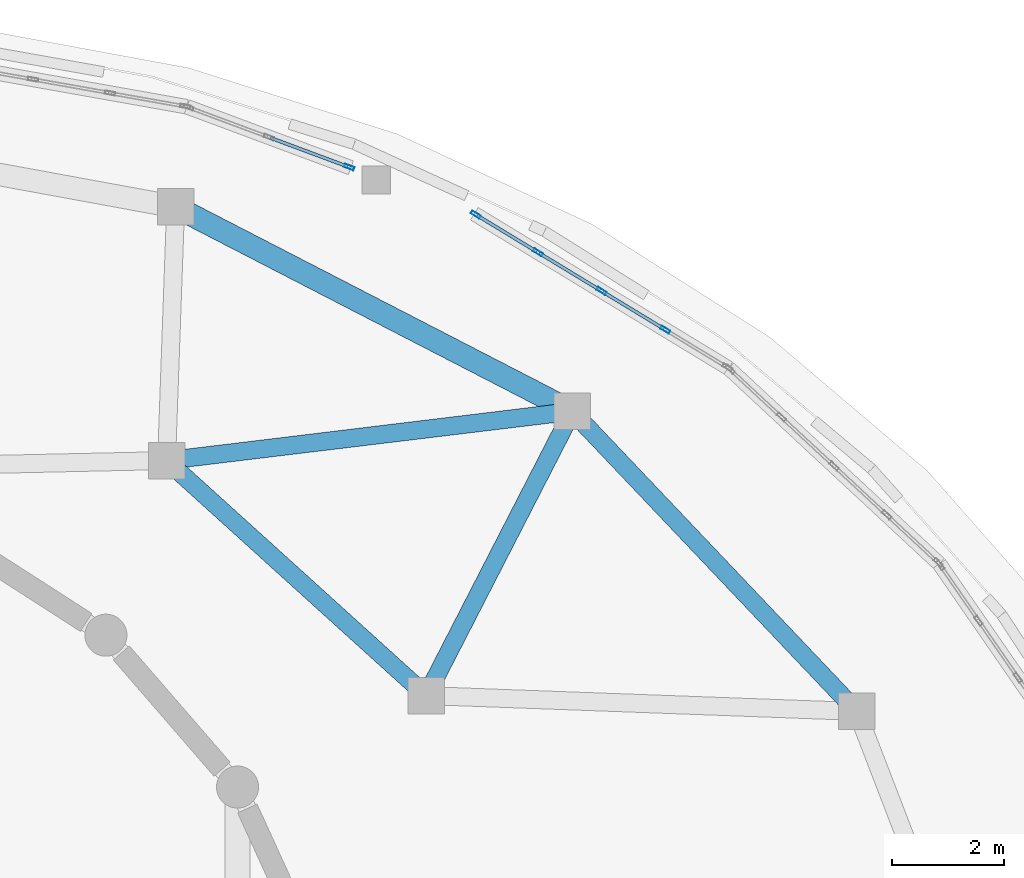
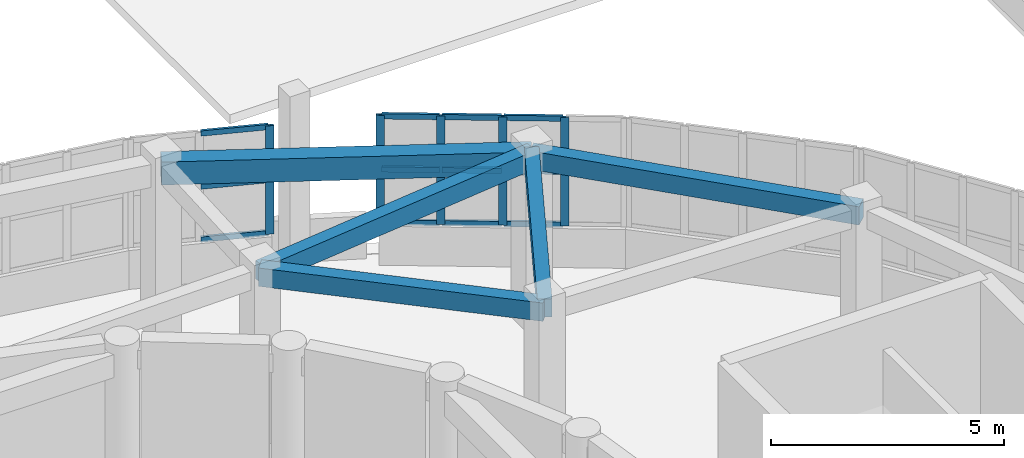
# One storey, part 61 of 105: 17 members, 5 beams, 2 elements without a shape of their own.
"""IFC4 building model written with IfcOpenShell, lengths in metres."""

import ifcopenshell
import ifcopenshell.guid

model = None  # the IFC model being written
_history = None  # IfcOwnerHistory: only IFC2X3 demands one
_inside = {}  # id of a spatial element -> (the spatial element, [elements in it])
_under = {}  # id of a project, library or spatial element -> (it, [spatial elements below it])
_declared = {}  # id of a project -> (the project, [libraries it declares])
_typed = {}  # id of a type object -> (the type object, [elements of that type])
_made_of = {}  # id of a material, layer set ... -> (it, [elements and type objects made of it])


def new_model(schema):
    """Start an empty IFC model of exactly this schema.

    Asked for "IFC4X3", IfcOpenShell would pick the latest addendum, in which some entities
    have other attributes; the version numbers below select the first issue.
    IFC2X3 requires an IfcOwnerHistory on every rooted entity: one is made here for all.
    """
    global model, _history
    if schema == "IFC4X3":
        model = ifcopenshell.file(schema_version=(4, 3, 0, 0))
    else:
        model = ifcopenshell.file(schema=schema)
    _inside.clear()
    _under.clear()
    _declared.clear()
    _typed.clear()
    _made_of.clear()
    _history = None
    if model.schema == "IFC2X3":
        org = make("IfcOrganization", Name="unknown")
        user = make(
            "IfcPersonAndOrganization",
            ThePerson=make("IfcPerson", FamilyName="unknown"),
            TheOrganization=org,
        )
        app = make(
            "IfcApplication",
            ApplicationDeveloper=org,
            Version="unknown",
            ApplicationFullName="unknown",
            ApplicationIdentifier="unknown",
        )
        _history = make(
            "IfcOwnerHistory",
            OwningUser=user,
            OwningApplication=app,
            ChangeAction="ADDED",
            CreationDate=0,
        )
    return model


def make(cls, **values):
    """One entity of the class cls with the attributes given. An attribute that is None is left unset."""
    return model.create_entity(
        cls, **{name: value for name, value in values.items() if value is not None}
    )


def rooted(cls, **values):
    """An entity with a GlobalId (a new one), such as an element, a storey or a relation."""
    return make(cls, GlobalId=ifcopenshell.guid.new(), OwnerHistory=_history, **values)


def si_unit(unit_type, name, prefix=None):
    """IfcSIUnit, for example si_unit("LENGTHUNIT", "METRE", prefix="MILLI")."""
    return make("IfcSIUnit", UnitType=unit_type, Prefix=prefix, Name=name)


def assignment(units):
    """IfcUnitAssignment: the units of a project."""
    return None if units is None else make("IfcUnitAssignment", Units=units)


def point(xyz):
    """IfcCartesianPoint."""
    return None if xyz is None else make("IfcCartesianPoint", Coordinates=xyz)


def direction(xyz):
    """IfcDirection."""
    return None if xyz is None else make("IfcDirection", DirectionRatios=xyz)


def frame(location, z_axis=None, x_axis=None):
    """IfcAxis2Placement3D, a coordinate frame: its origin and axes. An axis left out is left unset."""
    return make(
        "IfcAxis2Placement3D",
        Location=point(location),
        Axis=direction(z_axis),
        RefDirection=direction(x_axis),
    )


def frame_2d(location, x_axis=None):
    """IfcAxis2Placement2D, a coordinate frame in the plane: its origin and x axis."""
    return make(
        "IfcAxis2Placement2D", Location=point(location), RefDirection=direction(x_axis)
    )


def origin():
    """The frame at (0, 0, 0) with its axes left unset."""
    return frame((0.0, 0.0, 0.0))


def origin_2d():
    """The frame at (0, 0) in the plane with its x axis left unset."""
    return frame_2d((0.0, 0.0))


def place(relative_to, where):
    """IfcLocalPlacement: puts the frame where relative to a parent placement (None: the world)."""
    return make(
        "IfcLocalPlacement", PlacementRelTo=relative_to, RelativePlacement=where
    )


def context(
    kind, dimensions, precision=None, world=None, true_north=None, identifier=None
):
    """IfcGeometricRepresentationContext, for example the 3D "Model" context."""
    return make(
        "IfcGeometricRepresentationContext",
        ContextIdentifier=identifier,
        ContextType=kind,
        CoordinateSpaceDimension=dimensions,
        Precision=precision,
        WorldCoordinateSystem=world,
        TrueNorth=true_north,
    )


def subcontext(parent, identifier, kind, view, scale=None):
    """IfcGeometricRepresentationSubContext, for example "Body" below "Model"."""
    return make(
        "IfcGeometricRepresentationSubContext",
        ContextIdentifier=identifier,
        ContextType=kind,
        ParentContext=parent,
        TargetScale=scale,
        TargetView=view,
    )


def project(units=None, contexts=None):
    """IfcProject with its units and contexts."""
    return rooted(
        "IfcProject",
        Name="project",
        RepresentationContexts=contexts,
        UnitsInContext=assignment(units),
    )


def spatial(cls, under=None, at=None, **own):
    """A site, building, storey or space (cls), placed at a placement, below another one or the project."""
    s = rooted(cls, ObjectPlacement=at, **own)
    if under is not None:
        _under.setdefault(under.id(), (under, []))[1].append(s)
    return s


def profile(cls, at=None, kind="AREA", **sizes):
    """A parametric profile (cls). Its sizes go by their IFC names, for example OverallWidth=200.0."""
    return make(cls, ProfileType=kind, Position=at, **sizes)


def rectangle(**sizes):
    """IfcRectangleProfileDef."""
    return profile("IfcRectangleProfileDef", **sizes)


def hollow_rectangle(**sizes):
    """IfcRectangleHollowProfileDef."""
    return profile("IfcRectangleHollowProfileDef", **sizes)


def extrude(swept, where, along, depth):
    """IfcExtrudedAreaSolid: the profile swept, set in the frame where, extruded along a direction by depth."""
    return make(
        "IfcExtrudedAreaSolid",
        SweptArea=swept,
        Position=where,
        ExtrudedDirection=direction(along),
        Depth=depth,
    )


def shape(context_of_items, identifier, shape_type, items):
    """IfcShapeRepresentation: the items that make up one representation, for example the "Body"."""
    return make(
        "IfcShapeRepresentation",
        ContextOfItems=context_of_items,
        RepresentationIdentifier=identifier,
        RepresentationType=shape_type,
        Items=items,
    )


def material(Name=None, Category=None):
    """IfcMaterial."""
    return make("IfcMaterial", Name=Name, Category=Category)


def layer(
    of_material, thickness, ventilated=None, Name=None, Category=None, Priority=None
):
    """IfcMaterialLayer: one layer of a wall or slab, of a material (None: an air gap)."""
    return make(
        "IfcMaterialLayer",
        Material=of_material,
        LayerThickness=thickness,
        IsVentilated=ventilated,
        Name=Name,
        Category=Category,
        Priority=Priority,
    )


def layer_set(layers, Name=None):
    """IfcMaterialLayerSet."""
    return make("IfcMaterialLayerSet", MaterialLayers=layers, LayerSetName=Name)


def material_profile(
    of_material, cross_section, Name=None, Category=None, Priority=None
):
    """IfcMaterialProfile: a cross section and its material."""
    return make(
        "IfcMaterialProfile",
        Name=Name,
        Material=of_material,
        Profile=cross_section,
        Priority=Priority,
        Category=Category,
    )


def profile_set(profiles, Name=None, composite=None):
    """IfcMaterialProfileSet."""
    return make(
        "IfcMaterialProfileSet",
        Name=Name,
        MaterialProfiles=profiles,
        CompositeProfile=composite,
    )


def made_of(thing, what):
    """Note that an element or type object is made of a material, layer set ...; save() writes the relation."""
    if what is not None:
        _made_of.setdefault(what.id(), (what, []))[1].append(thing)
    return thing


def type_object(cls, material=None, **own):
    """A type object (cls), such as IfcWallType, which elements share."""
    return made_of(rooted(cls, **own), material)


def element(
    cls,
    number,
    at=None,
    inside=None,
    cuts=None,
    type_object=None,
    material=None,
    context=None,
    identifier="Body",
    shape_type=None,
    held_by="IfcProductDefinitionShape",
    body=None,
    shapes=None,
    **own,
):
    """One element of the class cls, such as IfcWall. Its Tag is "e" and its number.

    at: its placement. inside: the storey or other place that contains it. cuts: it is an
    opening in that element (IfcRelVoidsElement). A single representation is given by context,
    identifier, shape_type and body (its items); several are given by shapes. held_by: the class
    of the entity that holds the representations. save() writes the other relations.
    """
    e = rooted(cls, Tag="e%d" % number, ObjectPlacement=at, **own)
    if body is not None:
        shapes = [shape(context, identifier, shape_type, body)]
    if shapes is not None:
        e.Representation = make(held_by, Representations=shapes)
    if inside is not None:
        _inside.setdefault(inside.id(), (inside, []))[1].append(e)
    if cuts is not None:
        rooted(
            "IfcRelVoidsElement", RelatingBuildingElement=cuts, RelatedOpeningElement=e
        )
    if type_object is not None:
        _typed.setdefault(type_object.id(), (type_object, []))[1].append(e)
    return made_of(e, material)


def aggregate(whole, parts):
    """IfcRelAggregates: a whole, such as a stair, and the parts it consists of."""
    return rooted("IfcRelAggregates", RelatingObject=whole, RelatedObjects=parts)


def save(model, path):
    """Write the relations noted so far, then the file.

    IfcRelAggregates (storeys below a building ...), IfcRelContainedInSpatialStructure (elements
    in a storey), IfcRelDefinesByType, IfcRelAssociatesMaterial and IfcRelDeclares: one each for
    every whole, place, type object, material and project.
    """
    for whole, parts in _under.values():
        aggregate(whole, parts)
    for where, things in _inside.values():
        rooted(
            "IfcRelContainedInSpatialStructure",
            RelatedElements=things,
            RelatingStructure=where,
        )
    for kind, things in _typed.values():
        rooted("IfcRelDefinesByType", RelatedObjects=things, RelatingType=kind)
    for what, things in _made_of.values():
        rooted("IfcRelAssociatesMaterial", RelatedObjects=things, RelatingMaterial=what)
    for by, libraries in _declared.values():
        rooted("IfcRelDeclares", RelatingContext=by, RelatedDefinitions=libraries)
    model.write(path)


model = new_model("IFC4")

# Units and contexts
model_context = context("Model", 3, precision=1e-05, world=origin(), true_north=direction((0.0, 1.0)))
body_context = subcontext(model_context, "Body", "Model", "MODEL_VIEW")
ifc_project = project(units=[si_unit("LENGTHUNIT", "METRE"), si_unit("AREAUNIT", "SQUARE_METRE"), si_unit("VOLUMEUNIT", "CUBIC_METRE"), si_unit("PLANEANGLEUNIT", "RADIAN"), si_unit("MASSUNIT", "GRAM", prefix="KILO")], contexts=[model_context])

# Site, building, storey
site_placement = place(None, origin())
site = spatial("IfcSite", under=ifc_project, at=site_placement, CompositionType="ELEMENT")
building_placement = place(site_placement, origin())
building = spatial("IfcBuilding", under=site, at=building_placement, Name="Pelvatis Terrace Science Centre", CompositionType="ELEMENT")
storey_placement = place(building_placement, frame((0.0, 0.0, 10.199951171875)))
storey = spatial("IfcBuildingStorey", under=building, at=storey_placement, Name="L02", CompositionType="ELEMENT", Elevation=10.199951171875)

# Beams
ifc_material_1 = material(Name="Concrete C35/45", Category="concrete")
ifc_material_profile_1 = material_profile(ifc_material_1, rectangle(XDim=0.320068359375, YDim=0.47998046875, at=origin_2d()), Name="RC-BM 320x480")
ifc_profile_set_1 = profile_set([ifc_material_profile_1], Name="Concrete C35/45")
beam_type_1 = type_object("IfcBeamType", Name="BM-RC-320x480", PredefinedType="BEAM", material=ifc_profile_set_1)
beam_1_placement = place(storey_placement, frame((130.8515625, 93.9619140625, 4.300048828125), z_axis=(-0.688268468455, 0.725456074019, 0.0), x_axis=(-0.725456074019, -0.688268468455, 0.0)))
element("IfcBeam", 1, at=beam_1_placement, inside=storey, type_object=beam_type_1, Name="Beam BM-L02-2895", PredefinedType="BEAM", context=body_context, shape_type="SweptSolid", body=[
    extrude(rectangle(XDim=0.320068359375, YDim=0.47998046875, at=origin_2d()), origin(), (0.0, 0.0, 1.0), 7.379150390625),
])
beam_2_placement = place(storey_placement, frame((125.772705078125, 99.315185546875, 4.300048828125), z_axis=(-0.456833081813, -0.88955243542, 0.0), x_axis=(0.88955243542, -0.456833081813, 0.0)))
element("IfcBeam", 2, at=beam_2_placement, inside=storey, type_object=beam_type_1, Name="Beam BM-L02-2898", PredefinedType="BEAM", context=body_context, shape_type="SweptSolid", body=[
    extrude(rectangle(XDim=0.320068359375, YDim=0.47998046875, at=origin_2d()), origin(), (0.0, 0.0, 1.0), 5.7001953125),
])
beam_3_placement = place(storey_placement, frame((125.772705078125, 99.315185546875, 4.300048828125), z_axis=(-0.992742021156, -0.120263375265, 0.0), x_axis=(0.120263375265, -0.992742021156, 0.0)))
element("IfcBeam", 3, at=beam_3_placement, inside=storey, type_object=beam_type_1, Name="Beam BM-L02-2899", PredefinedType="BEAM", context=body_context, shape_type="SweptSolid", body=[
    extrude(rectangle(XDim=0.320068359375, YDim=0.47998046875, at=origin_2d()), origin(), (0.0, 0.0, 1.0), 7.2919921875),
])
beam_4_placement = place(storey_placement, frame((123.168701171875, 94.24462890625, 4.300048828125), z_axis=(-0.741533928448, 0.670915369447, 0.0), x_axis=(-0.670915369447, -0.741533928448, 0.0)))
element("IfcBeam", 4, at=beam_4_placement, inside=storey, type_object=beam_type_1, Name="Beam BM-L02-2923", PredefinedType="BEAM", context=body_context, shape_type="SweptSolid", body=[
    extrude(rectangle(XDim=0.320068359375, YDim=0.47998046875, at=origin_2d()), origin(), (0.0, 0.0, 1.0), 6.25048828125),
])
ifc_material_2 = material(Name="Concrete C35/45", Category="concrete")
ifc_material_profile_2 = material_profile(ifc_material_2, rectangle(XDim=0.39990234375, YDim=0.60009765625, at=origin_2d()), Name="RC-BM 400x600")
ifc_profile_set_2 = profile_set([ifc_material_profile_2], Name="Concrete C35/45")
beam_type_2 = type_object("IfcBeamType", Name="BM-RC-400x600", PredefinedType="BEAM", material=ifc_profile_set_2)
beam_5_placement = place(storey_placement, frame((125.772705078125, 99.315185546875, 4.239990234375), z_axis=(-0.888746773827, 0.458398486049, 0.0), x_axis=(-0.458398486049, -0.888746773827, 0.0)))
element("IfcBeam", 5, at=beam_5_placement, inside=storey, type_object=beam_type_2, Name="Beam BM-L02-2897", PredefinedType="BEAM", context=body_context, shape_type="SweptSolid", body=[
    extrude(rectangle(XDim=0.39990234375, YDim=0.60009765625, at=origin_2d()), origin(), (0.0, 0.0, 1.0), 7.9638671875),
])

# Curtain wall, members
ifc_material_3 = material(Name="Bronze-anodised aluminium and laminated glass", Category="aluminium")
ifc_layer = layer(ifc_material_3, 0.179931640625)
ifc_layer_set = layer_set([ifc_layer], Name="Bronze-anodised aluminium and laminated glass")
curtain_wall_type = type_object("IfcCurtainWallType", Name="CW-RIBBON-A", PredefinedType="NOTDEFINED", material=ifc_layer_set)
curtain_wall_1_placement = place(storey_placement, origin())
curtain_wall_1 = element("IfcCurtainWall", 6, at=curtain_wall_1_placement, inside=storey, type_object=curtain_wall_type, Name="Ribbon curtain wall CW-158 (L02)", PredefinedType="NOTDEFINED")
ifc_material_4 = material(Name="Bronze-anodised aluminium 6063-T6", Category="aluminium")
ifc_material_profile_3 = material_profile(ifc_material_4, hollow_rectangle(XDim=0.06005859375, YDim=0.179931640625, WallThickness=0.00390625, at=origin_2d()), Name="ALU-MUL 60x180")
ifc_profile_set_3 = profile_set([ifc_material_profile_3], Name="Bronze-anodised aluminium 6063-T6")
member_type_1 = type_object("IfcMemberType", Name="CWM-60x180", PredefinedType="MULLION", material=ifc_profile_set_3)
member_1_placement = place(storey_placement, frame((127.430908203125, 100.773193359375, 1.02001953125), z_axis=(0.0, 0.0, 1.0), x_axis=(-0.519190278561, -0.854658677279, 0.0)))
member_1 = element("IfcMember", 7, at=member_1_placement, type_object=member_type_1, Name="CW-158 mullion 2", PredefinedType="MULLION", context=body_context, shape_type="SweptSolid", body=[
    extrude(hollow_rectangle(XDim=0.06005859375, YDim=0.179931640625, WallThickness=0.00390625, at=origin_2d()), origin(), (0.0, 0.0, 1.0), 2.840087890625),
])
member_2_placement = place(storey_placement, frame((126.295654296875, 101.462890625, 1.02001953125), z_axis=(0.0, 0.0, 1.0), x_axis=(-0.519190278561, -0.854658677279, 0.0)))
member_2 = element("IfcMember", 8, at=member_2_placement, type_object=member_type_1, Name="CW-158 mullion 3", PredefinedType="MULLION", context=body_context, shape_type="SweptSolid", body=[
    extrude(hollow_rectangle(XDim=0.06005859375, YDim=0.179931640625, WallThickness=0.00390625, at=origin_2d()), origin(), (0.0, 0.0, 1.0), 2.840087890625),
])
member_3_placement = place(storey_placement, frame((125.160400390625, 102.152587890625, 1.02001953125), z_axis=(0.0, 0.0, 1.0), x_axis=(-0.519190278561, -0.854658677279, 0.0)))
member_3 = element("IfcMember", 9, at=member_3_placement, type_object=member_type_1, Name="CW-158 mullion 4", PredefinedType="MULLION", context=body_context, shape_type="SweptSolid", body=[
    extrude(hollow_rectangle(XDim=0.06005859375, YDim=0.179931640625, WallThickness=0.00390625, at=origin_2d()), origin(), (0.0, 0.0, 1.0), 2.840087890625),
])
member_4_placement = place(storey_placement, frame((124.050537109375, 102.82666015625, 1.02001953125), z_axis=(0.0, 0.0, 1.0), x_axis=(-0.519190278561, -0.854658677279, 0.0)))
member_4 = element("IfcMember", 10, at=member_4_placement, type_object=member_type_1, Name="CW-158 mullion 5", PredefinedType="MULLION", context=body_context, shape_type="SweptSolid", body=[
    extrude(hollow_rectangle(XDim=0.06005859375, YDim=0.179931640625, WallThickness=0.00390625, at=origin_2d()), origin(), (0.0, 0.0, 1.0), 2.840087890625),
])

# Curtain wall, member
curtain_wall_2_placement = place(storey_placement, origin())
curtain_wall_2 = element("IfcCurtainWall", 11, at=curtain_wall_2_placement, inside=storey, type_object=curtain_wall_type, Name="Ribbon curtain wall CW-159 (L02)", PredefinedType="NOTDEFINED")
member_5_placement = place(storey_placement, frame((121.792724609375, 103.67333984375, 1.02001953125), z_axis=(0.0, 0.0, 1.0), x_axis=(-0.348867281349, -0.937172140006, 0.0)))
member_5 = element("IfcMember", 12, at=member_5_placement, type_object=member_type_1, Name="CW-159 mullion 1", PredefinedType="MULLION", context=body_context, shape_type="SweptSolid", body=[
    extrude(hollow_rectangle(XDim=0.06005859375, YDim=0.179931640625, WallThickness=0.00390625, at=origin_2d()), origin(), (0.0, 0.0, 1.0), 2.840087890625),
])

# Member
ifc_material_5 = material(Name="Bronze-anodised aluminium 6063-T6", Category="aluminium")
ifc_material_profile_4 = material_profile(ifc_material_5, hollow_rectangle(XDim=0.06005859375, YDim=0.139892578125, WallThickness=0.00390625, at=origin_2d()), Name="ALU-TRN 60x140")
ifc_profile_set_4 = profile_set([ifc_material_profile_4], Name="Bronze-anodised aluminium 6063-T6")
member_type_2 = type_object("IfcMemberType", Name="CWT-60x140", PredefinedType="USERDEFINED", material=ifc_profile_set_4)
member_6_placement = place(storey_placement, frame((127.4052734375, 100.788818359375, 1.050048828125), z_axis=(-0.85467770399, 0.519158956681, 0.0), x_axis=(-0.519158956681, -0.85467770399, 0.0)))
member_6 = element("IfcMember", 13, at=member_6_placement, type_object=member_type_2, Name="CW-158 transom 2.1", ObjectType="TRANSOM", PredefinedType="USERDEFINED", context=body_context, shape_type="SweptSolid", body=[
    extrude(hollow_rectangle(XDim=0.06005859375, YDim=0.139892578125, WallThickness=0.00390625, at=origin_2d()), origin(), (0.0, 0.0, 1.0), 1.268310546875),
])

member_7_placement = place(storey_placement, frame((127.4052734375, 100.788818359375, 2.43994140625), z_axis=(-0.85467770399, 0.519158956681, 0.0), x_axis=(-0.519158956681, -0.85467770399, 0.0)))
member_7 = element("IfcMember", 14, at=member_7_placement, type_object=member_type_2, Name="CW-158 transom 2.2", ObjectType="TRANSOM", PredefinedType="USERDEFINED", context=body_context, shape_type="SweptSolid", body=[
    extrude(hollow_rectangle(XDim=0.06005859375, YDim=0.139892578125, WallThickness=0.00390625, at=origin_2d()), origin(), (0.0, 0.0, 1.0), 1.268310546875),
])

member_8_placement = place(storey_placement, frame((127.4052734375, 100.788818359375, 3.830078125), z_axis=(-0.85467770399, 0.519158956681, 0.0), x_axis=(-0.519158956681, -0.85467770399, 0.0)))
member_8 = element("IfcMember", 15, at=member_8_placement, type_object=member_type_2, Name="CW-158 transom 2.3", ObjectType="TRANSOM", PredefinedType="USERDEFINED", context=body_context, shape_type="SweptSolid", body=[
    extrude(hollow_rectangle(XDim=0.06005859375, YDim=0.139892578125, WallThickness=0.00390625, at=origin_2d()), origin(), (0.0, 0.0, 1.0), 1.268310546875),
])

member_9_placement = place(storey_placement, frame((126.27001953125, 101.478515625, 1.050048828125), z_axis=(-0.85467770399, 0.519158956681, 0.0), x_axis=(-0.519158956681, -0.85467770399, 0.0)))
member_9 = element("IfcMember", 16, at=member_9_placement, type_object=member_type_2, Name="CW-158 transom 3.1", ObjectType="TRANSOM", PredefinedType="USERDEFINED", context=body_context, shape_type="SweptSolid", body=[
    extrude(hollow_rectangle(XDim=0.06005859375, YDim=0.139892578125, WallThickness=0.00390625, at=origin_2d()), origin(), (0.0, 0.0, 1.0), 1.268310546875),
])

member_10_placement = place(storey_placement, frame((126.27001953125, 101.478515625, 2.43994140625), z_axis=(-0.85467770399, 0.519158956681, 0.0), x_axis=(-0.519158956681, -0.85467770399, 0.0)))
member_10 = element("IfcMember", 17, at=member_10_placement, type_object=member_type_2, Name="CW-158 transom 3.2", ObjectType="TRANSOM", PredefinedType="USERDEFINED", context=body_context, shape_type="SweptSolid", body=[
    extrude(hollow_rectangle(XDim=0.06005859375, YDim=0.139892578125, WallThickness=0.00390625, at=origin_2d()), origin(), (0.0, 0.0, 1.0), 1.268310546875),
])

member_11_placement = place(storey_placement, frame((126.27001953125, 101.478515625, 3.830078125), z_axis=(-0.85467770399, 0.519158956681, 0.0), x_axis=(-0.519158956681, -0.85467770399, 0.0)))
member_11 = element("IfcMember", 18, at=member_11_placement, type_object=member_type_2, Name="CW-158 transom 3.3", ObjectType="TRANSOM", PredefinedType="USERDEFINED", context=body_context, shape_type="SweptSolid", body=[
    extrude(hollow_rectangle(XDim=0.06005859375, YDim=0.139892578125, WallThickness=0.00390625, at=origin_2d()), origin(), (0.0, 0.0, 1.0), 1.268310546875),
])

member_12_placement = place(storey_placement, frame((125.134765625, 102.168212890625, 1.050048828125), z_axis=(-0.854750034657, 0.519039861912, 0.0), x_axis=(-0.519039861912, -0.854750034657, 0.0)))
member_12 = element("IfcMember", 19, at=member_12_placement, type_object=member_type_2, Name="CW-158 transom 4.1", ObjectType="TRANSOM", PredefinedType="USERDEFINED", context=body_context, shape_type="SweptSolid", body=[
    extrude(hollow_rectangle(XDim=0.06005859375, YDim=0.139892578125, WallThickness=0.00390625, at=origin_2d()), origin(), (0.0, 0.0, 1.0), 1.238525390625),
])

member_13_placement = place(storey_placement, frame((125.134765625, 102.168212890625, 2.43994140625), z_axis=(-0.854750034657, 0.519039861912, 0.0), x_axis=(-0.519039861912, -0.854750034657, 0.0)))
member_13 = element("IfcMember", 20, at=member_13_placement, type_object=member_type_2, Name="CW-158 transom 4.2", ObjectType="TRANSOM", PredefinedType="USERDEFINED", context=body_context, shape_type="SweptSolid", body=[
    extrude(hollow_rectangle(XDim=0.06005859375, YDim=0.139892578125, WallThickness=0.00390625, at=origin_2d()), origin(), (0.0, 0.0, 1.0), 1.238525390625),
])

member_14_placement = place(storey_placement, frame((125.134765625, 102.168212890625, 3.830078125), z_axis=(-0.854750034657, 0.519039861912, 0.0), x_axis=(-0.519039861912, -0.854750034657, 0.0)))
member_14 = element("IfcMember", 21, at=member_14_placement, type_object=member_type_2, Name="CW-158 transom 4.3", ObjectType="TRANSOM", PredefinedType="USERDEFINED", context=body_context, shape_type="SweptSolid", body=[
    extrude(hollow_rectangle(XDim=0.06005859375, YDim=0.139892578125, WallThickness=0.00390625, at=origin_2d()), origin(), (0.0, 0.0, 1.0), 1.238525390625),
])

aggregate(curtain_wall_1, [member_1, member_2, member_3, member_4, member_6, member_7, member_8, member_9, member_10, member_11, member_12, member_13, member_14])

member_15_placement = place(storey_placement, frame((121.7646484375, 103.683837890625, 1.050048828125), z_axis=(-0.937186493846, 0.348828719794, 0.0), x_axis=(-0.348828719794, -0.937186493846, 0.0)))
member_15 = element("IfcMember", 22, at=member_15_placement, type_object=member_type_2, Name="CW-159 transom 1.1", ObjectType="TRANSOM", PredefinedType="USERDEFINED", context=body_context, shape_type="SweptSolid", body=[
    extrude(hollow_rectangle(XDim=0.06005859375, YDim=0.139892578125, WallThickness=0.00390625, at=origin_2d()), origin(), (0.0, 0.0, 1.0), 1.4697265625),
])

member_16_placement = place(storey_placement, frame((121.7646484375, 103.683837890625, 2.43994140625), z_axis=(-0.937186493846, 0.348828719794, 0.0), x_axis=(-0.348828719794, -0.937186493846, 0.0)))
member_16 = element("IfcMember", 23, at=member_16_placement, type_object=member_type_2, Name="CW-159 transom 1.2", ObjectType="TRANSOM", PredefinedType="USERDEFINED", context=body_context, shape_type="SweptSolid", body=[
    extrude(hollow_rectangle(XDim=0.06005859375, YDim=0.139892578125, WallThickness=0.00390625, at=origin_2d()), origin(), (0.0, 0.0, 1.0), 1.4697265625),
])

member_17_placement = place(storey_placement, frame((121.7646484375, 103.683837890625, 3.830078125), z_axis=(-0.937186493846, 0.348828719794, 0.0), x_axis=(-0.348828719794, -0.937186493846, 0.0)))
member_17 = element("IfcMember", 24, at=member_17_placement, type_object=member_type_2, Name="CW-159 transom 1.3", ObjectType="TRANSOM", PredefinedType="USERDEFINED", context=body_context, shape_type="SweptSolid", body=[
    extrude(hollow_rectangle(XDim=0.06005859375, YDim=0.139892578125, WallThickness=0.00390625, at=origin_2d()), origin(), (0.0, 0.0, 1.0), 1.4697265625),
])

aggregate(curtain_wall_2, [member_5, member_15, member_16, member_17])

save(model, "model.ifc")
